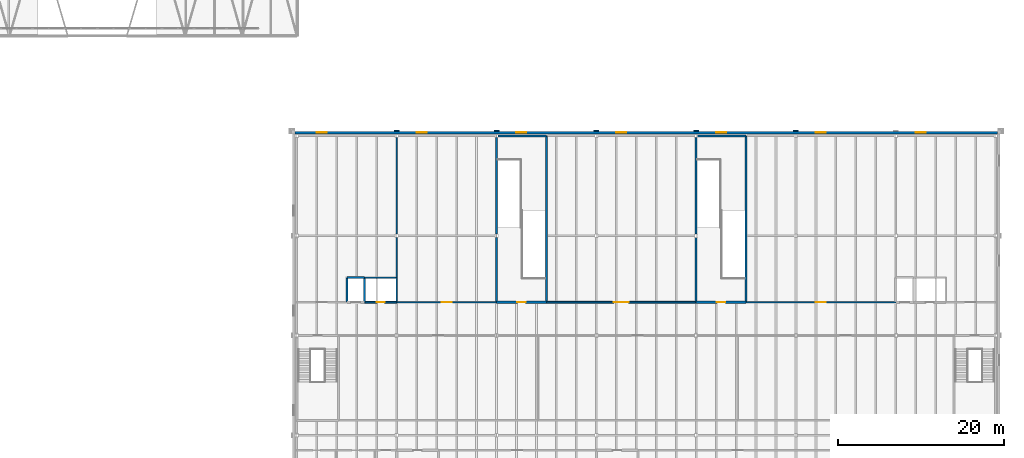
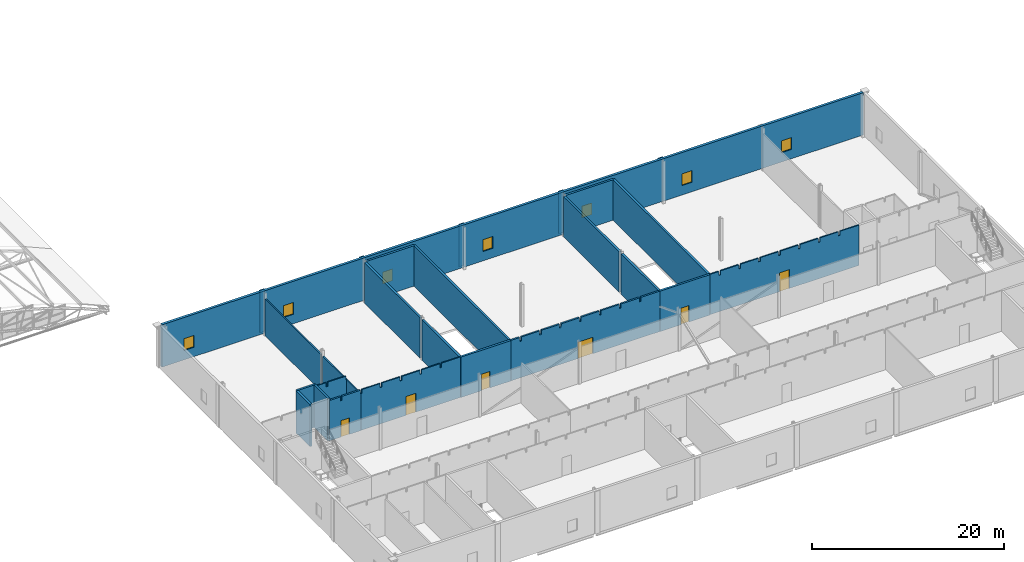
# One storey, part 258 of 321: 27 walls, 7 windows, 6 doors, 13 openings.
"""IFC4 building model written with IfcOpenShell, lengths in metres."""

from ifc_helpers import new_model, si_unit, direction, frame, frame_2d, origin, place, context, subcontext, project, spatial, polyline, rectangle, outline, extrude, material, layer, layer_set, type_object, element, fill, save


model = new_model("IFC4")

# Units and contexts
model_context = context("Model", 3, precision=1e-05, world=origin(), true_north=direction((0.0, 1.0)))
body_context = subcontext(model_context, "Body", "Model", "MODEL_VIEW")
ifc_project = project(units=[si_unit("LENGTHUNIT", "METRE"), si_unit("AREAUNIT", "SQUARE_METRE"), si_unit("VOLUMEUNIT", "CUBIC_METRE"), si_unit("PLANEANGLEUNIT", "RADIAN"), si_unit("MASSUNIT", "GRAM", prefix="KILO")], contexts=[model_context])

# Site, building, storey
site_placement = place(None, origin())
site = spatial("IfcSite", under=ifc_project, at=site_placement, CompositionType="ELEMENT")
building_placement = place(site_placement, origin())
building = spatial("IfcBuilding", under=site, at=building_placement, Name="Ravi Spectrum Wholesale Market", CompositionType="ELEMENT")
storey_placement = place(building_placement, frame((0.0, 0.0, 10.800048828125)))
storey = spatial("IfcBuildingStorey", under=building, at=storey_placement, Name="L02", CompositionType="ELEMENT", Elevation=10.800048828125)

# Wall, opening, door
ifc_material_1 = material(Name="Concrete blockwork", Category="masonry")
ifc_layer_1 = layer(ifc_material_1, 0.199951171875)
ifc_layer_set_1 = layer_set([ifc_layer_1], Name="Concrete blockwork")
wall_type_1 = type_object("IfcWallType", Name="Blockwork partition 200 fire", PredefinedType="PARTITIONING", material=ifc_layer_set_1)
wall_1_placement = place(storey_placement, frame((206.14990234375, 46.0, 0.0), z_axis=(0.0, 0.0, 1.0), x_axis=(1.0, 0.0, 0.0)))
wall_1 = element("IfcWall", 1, at=wall_1_placement, inside=storey, type_object=wall_type_1, Name="CS-WL-L02-088", PredefinedType="PARTITIONING", context=body_context, shape_type="SweptSolid", body=[
    extrude(outline(polyline([(0.0, 0.0), (3.85009765625, 0.0), (3.85009765625, 4.679931640625), (3.7548828125, 4.679931640625), (3.75, 5.14990234375), (1.554931640625, 5.14990234375), (1.550048828125, 4.6298828125), (1.35009765625, 4.6298828125), (1.344970703125, 5.14990234375), (0.0, 5.14990234375), (0.0, 0.0)])), frame((0.0, 0.10009765625, 0.0), z_axis=(0.0, -1.0, 0.0), x_axis=(1.0, 0.0, 0.0)), (0.0, 0.0, 1.0), 0.199951171875),
])
opening_1_placement = place(wall_1_placement, frame((1.425048828125, 0.0, 0.0)))
opening_1 = element("IfcOpeningElement", 2, at=opening_1_placement, cuts=wall_1, Name="Opening D543", PredefinedType="OPENING", context=body_context, shape_type="SweptSolid", body=[
    extrude(rectangle(XDim=1.0, YDim=2.10009765625, at=frame_2d((0.5, 1.050048828125))), frame((0.0, 0.10986328125, 0.0), z_axis=(0.0, -1.0, 0.0), x_axis=(1.0, 0.0, 0.0)), (0.0, 0.0, 1.0), 0.219970703125),
])
ifc_material_2 = material(Name="Steel door", Category="steel")
door_type_1 = type_object("IfcDoorType", Name="Plant room door 1000 x 2100", OperationType="SINGLE_SWING_LEFT", PredefinedType="DOOR", material=ifc_material_2)
door_1_placement = place(opening_1_placement, origin())
door_1 = element("IfcDoor", 3, at=door_1_placement, inside=storey, type_object=door_type_1, Name="Riser access door D543", OperationType="SINGLE_SWING_RIGHT", OverallHeight=2.10009765625, OverallWidth=1.0, PredefinedType="DOOR", context=body_context, shape_type="SweptSolid", body=[
    extrude(rectangle(XDim=1.0, YDim=2.10009765625, at=frame_2d((0.5, 1.050048828125))), frame((0.0, 0.02490234375, 0.0), z_axis=(0.0, -1.0, 0.0), x_axis=(1.0, 0.0, 0.0)), (0.0, 0.0, 1.0), 0.050048828125),
])
fill(opening_1, door_1)

wall_2_placement = place(storey_placement, frame((228.0, 46.0, 0.0), z_axis=(0.0, 0.0, 1.0), x_axis=(1.0, 0.0, 0.0)))
wall_2 = element("IfcWall", 4, at=wall_2_placement, inside=storey, type_object=wall_type_1, Name="CS-WL-L02-090", PredefinedType="PARTITIONING", context=body_context, shape_type="SweptSolid", body=[
    extrude(outline(polyline([(0.0, 0.0), (18.0, 0.0), (18.0, 5.14990234375), (15.705078125, 5.14990234375), (15.699951171875, 4.6298828125), (15.5, 4.6298828125), (15.4951171875, 5.14990234375), (13.304931640625, 5.14990234375), (13.300048828125, 4.6298828125), (13.10009765625, 4.6298828125), (13.094970703125, 5.14990234375), (10.905029296875, 5.14990234375), (10.89990234375, 4.6298828125), (10.699951171875, 4.6298828125), (10.695068359375, 5.14990234375), (8.5048828125, 5.14990234375), (8.5, 4.6298828125), (8.300048828125, 4.6298828125), (8.294921875, 5.14990234375), (6.10009765625, 5.14990234375), (6.094970703125, 4.679931640625), (5.905029296875, 4.679931640625), (5.89990234375, 5.14990234375), (3.705078125, 5.14990234375), (3.699951171875, 4.6298828125), (3.5, 4.6298828125), (3.4951171875, 5.14990234375), (1.304931640625, 5.14990234375), (1.300048828125, 4.6298828125), (1.10009765625, 4.6298828125), (1.094970703125, 5.14990234375), (0.0, 5.14990234375), (0.0, 0.0)])), frame((0.0, 0.10009765625, 0.0), z_axis=(0.0, -1.0, 0.0), x_axis=(1.0, 0.0, 0.0)), (0.0, 0.0, 1.0), 0.199951171875),
])
opening_2_placement = place(wall_2_placement, frame((8.10009765625, 0.0, 0.0)))
opening_2 = element("IfcOpeningElement", 5, at=opening_2_placement, cuts=wall_2, Name="Opening D540", PredefinedType="OPENING", context=body_context, shape_type="SweptSolid", body=[
    extrude(rectangle(XDim=1.800048828125, YDim=2.10009765625, at=frame_2d((0.89990234375, 1.050048828125))), frame((0.0, 0.10986328125, 0.0), z_axis=(0.0, -1.0, 0.0), x_axis=(1.0, 0.0, 0.0)), (0.0, 0.0, 1.0), 0.219970703125),
])
ifc_material_3 = material(Name="Steel door", Category="steel")
door_type_2 = type_object("IfcDoorType", Name="Double leaf door 1800 x 2100", OperationType="DOUBLE_DOOR_SINGLE_SWING", PredefinedType="DOOR", material=ifc_material_3)
door_2_placement = place(opening_2_placement, origin())
door_2 = element("IfcDoor", 6, at=door_2_placement, inside=storey, type_object=door_type_2, Name="Door D540", OperationType="DOUBLE_DOOR_SINGLE_SWING", OverallHeight=2.10009765625, OverallWidth=1.800048828125, PredefinedType="DOOR", context=body_context, shape_type="SweptSolid", body=[
    extrude(rectangle(XDim=1.800048828125, YDim=2.10009765625, at=frame_2d((0.89990234375, 1.050048828125))), frame((0.0, 0.02490234375, 0.0), z_axis=(0.0, -1.0, 0.0), x_axis=(1.0, 0.0, 0.0)), (0.0, 0.0, 1.0), 0.050048828125),
])
fill(opening_2, door_2)

# Wall, openings, windows
ifc_material_4 = material(Name="Brick-faced insulated panel", Category="masonry")
ifc_layer_2 = layer(ifc_material_4, 0.300048828125)
ifc_layer_set_2 = layer_set([ifc_layer_2], Name="Brick-faced insulated panel")
wall_type_2 = type_object("IfcWallType", Name="Brick faced insulated panel 300", PredefinedType="SOLIDWALL", material=ifc_layer_set_2)
wall_3_placement = place(storey_placement, frame((282.25, 66.39990234375, 0.0), z_axis=(0.0, 0.0, 1.0), x_axis=(-1.0, 0.0, 0.0)))
wall_3 = element("IfcWall", 7, at=wall_3_placement, inside=storey, type_object=wall_type_2, Name="CS-WL-L02-058", PredefinedType="SOLIDWALL", context=body_context, shape_type="SweptSolid", body=[
    extrude(rectangle(XDim=84.5, YDim=0.300048828125, at=frame_2d((42.25, 0.0))), origin(), (0.0, 0.0, 1.0), 5.39990234375),
])
opening_3_placement = place(wall_3_placement, frame((8.64990234375, 0.0, 1.199951171875)))
opening_3 = element("IfcOpeningElement", 8, at=opening_3_placement, cuts=wall_3, Name="Opening W2648", PredefinedType="OPENING", context=body_context, shape_type="SweptSolid", body=[
    extrude(rectangle(XDim=1.199951171875, YDim=1.5, at=frame_2d((0.60009765625, 0.75))), frame((0.0, 0.159912109375, 0.0), z_axis=(0.0, -1.0, 0.0), x_axis=(1.0, 0.0, 0.0)), (0.0, 0.0, 1.0), 0.320068359375),
])
opening_4_placement = place(wall_3_placement, frame((20.64990234375, 0.0, 1.199951171875)))
opening_4 = element("IfcOpeningElement", 9, at=opening_4_placement, cuts=wall_3, Name="Opening W2649", PredefinedType="OPENING", context=body_context, shape_type="SweptSolid", body=[
    extrude(rectangle(XDim=1.199951171875, YDim=1.5, at=frame_2d((0.60009765625, 0.75))), frame((0.0, 0.159912109375, 0.0), z_axis=(0.0, -1.0, 0.0), x_axis=(1.0, 0.0, 0.0)), (0.0, 0.0, 1.0), 0.320068359375),
])
opening_5_placement = place(wall_3_placement, frame((32.64990234375, 0.0, 1.199951171875)))
opening_5 = element("IfcOpeningElement", 10, at=opening_5_placement, cuts=wall_3, Name="Opening W2650", PredefinedType="OPENING", context=body_context, shape_type="SweptSolid", body=[
    extrude(rectangle(XDim=1.199951171875, YDim=1.5, at=frame_2d((0.60009765625, 0.75))), frame((0.0, 0.159912109375, 0.0), z_axis=(0.0, -1.0, 0.0), x_axis=(1.0, 0.0, 0.0)), (0.0, 0.0, 1.0), 0.320068359375),
])
opening_6_placement = place(wall_3_placement, frame((44.64990234375, 0.0, 1.199951171875)))
opening_6 = element("IfcOpeningElement", 11, at=opening_6_placement, cuts=wall_3, Name="Opening W2651", PredefinedType="OPENING", context=body_context, shape_type="SweptSolid", body=[
    extrude(rectangle(XDim=1.199951171875, YDim=1.5, at=frame_2d((0.60009765625, 0.75))), frame((0.0, 0.159912109375, 0.0), z_axis=(0.0, -1.0, 0.0), x_axis=(1.0, 0.0, 0.0)), (0.0, 0.0, 1.0), 0.320068359375),
])
opening_7_placement = place(wall_3_placement, frame((56.64990234375, 0.0, 1.199951171875)))
opening_7 = element("IfcOpeningElement", 12, at=opening_7_placement, cuts=wall_3, Name="Opening W2652", PredefinedType="OPENING", context=body_context, shape_type="SweptSolid", body=[
    extrude(rectangle(XDim=1.199951171875, YDim=1.5, at=frame_2d((0.60009765625, 0.75))), frame((0.0, 0.159912109375, 0.0), z_axis=(0.0, -1.0, 0.0), x_axis=(1.0, 0.0, 0.0)), (0.0, 0.0, 1.0), 0.320068359375),
])
opening_8_placement = place(wall_3_placement, frame((68.64990234375, 0.0, 1.199951171875)))
opening_8 = element("IfcOpeningElement", 13, at=opening_8_placement, cuts=wall_3, Name="Opening W2653", PredefinedType="OPENING", context=body_context, shape_type="SweptSolid", body=[
    extrude(rectangle(XDim=1.199951171875, YDim=1.5, at=frame_2d((0.60009765625, 0.75))), frame((0.0, 0.159912109375, 0.0), z_axis=(0.0, -1.0, 0.0), x_axis=(1.0, 0.0, 0.0)), (0.0, 0.0, 1.0), 0.320068359375),
])
opening_9_placement = place(wall_3_placement, frame((80.64990234375, 0.0, 1.199951171875)))
opening_9 = element("IfcOpeningElement", 14, at=opening_9_placement, cuts=wall_3, Name="Opening W2654", PredefinedType="OPENING", context=body_context, shape_type="SweptSolid", body=[
    extrude(rectangle(XDim=1.199951171875, YDim=1.5, at=frame_2d((0.60009765625, 0.75))), frame((0.0, 0.159912109375, 0.0), z_axis=(0.0, -1.0, 0.0), x_axis=(1.0, 0.0, 0.0)), (0.0, 0.0, 1.0), 0.320068359375),
])
ifc_material_5 = material(Name="Aluminium frame", Category="aluminium")
window_type = type_object("IfcWindowType", Name="Plant room louvred window 1200 x 1500", PartitioningType="SINGLE_PANEL", PredefinedType="WINDOW", material=ifc_material_5)
window_1_placement = place(opening_3_placement, origin())
window_1 = element("IfcWindow", 15, at=window_1_placement, inside=storey, type_object=window_type, Name="Window W2648", OverallHeight=1.5, OverallWidth=1.199951171875, PartitioningType="SINGLE_PANEL", PredefinedType="WINDOW", context=body_context, shape_type="SweptSolid", body=[
    extrude(rectangle(XDim=1.199951171875, YDim=1.5, at=frame_2d((0.60009765625, 0.75))), frame((0.0, 0.030029296875, 0.0), z_axis=(0.0, -1.0, 0.0), x_axis=(1.0, 0.0, 0.0)), (0.0, 0.0, 1.0), 0.06005859375),
])
fill(opening_3, window_1)
window_2_placement = place(opening_4_placement, origin())
window_2 = element("IfcWindow", 16, at=window_2_placement, inside=storey, type_object=window_type, Name="Window W2649", OverallHeight=1.5, OverallWidth=1.199951171875, PartitioningType="SINGLE_PANEL", PredefinedType="WINDOW", context=body_context, shape_type="SweptSolid", body=[
    extrude(rectangle(XDim=1.199951171875, YDim=1.5, at=frame_2d((0.60009765625, 0.75))), frame((0.0, 0.030029296875, 0.0), z_axis=(0.0, -1.0, 0.0), x_axis=(1.0, 0.0, 0.0)), (0.0, 0.0, 1.0), 0.06005859375),
])
fill(opening_4, window_2)
window_3_placement = place(opening_5_placement, origin())
window_3 = element("IfcWindow", 17, at=window_3_placement, inside=storey, type_object=window_type, Name="Window W2650", OverallHeight=1.5, OverallWidth=1.199951171875, PartitioningType="SINGLE_PANEL", PredefinedType="WINDOW", context=body_context, shape_type="SweptSolid", body=[
    extrude(rectangle(XDim=1.199951171875, YDim=1.5, at=frame_2d((0.60009765625, 0.75))), frame((0.0, 0.030029296875, 0.0), z_axis=(0.0, -1.0, 0.0), x_axis=(1.0, 0.0, 0.0)), (0.0, 0.0, 1.0), 0.06005859375),
])
fill(opening_5, window_3)
window_4_placement = place(opening_6_placement, origin())
window_4 = element("IfcWindow", 18, at=window_4_placement, inside=storey, type_object=window_type, Name="Window W2651", OverallHeight=1.5, OverallWidth=1.199951171875, PartitioningType="SINGLE_PANEL", PredefinedType="WINDOW", context=body_context, shape_type="SweptSolid", body=[
    extrude(rectangle(XDim=1.199951171875, YDim=1.5, at=frame_2d((0.60009765625, 0.75))), frame((0.0, 0.030029296875, 0.0), z_axis=(0.0, -1.0, 0.0), x_axis=(1.0, 0.0, 0.0)), (0.0, 0.0, 1.0), 0.06005859375),
])
fill(opening_6, window_4)
window_5_placement = place(opening_7_placement, origin())
window_5 = element("IfcWindow", 19, at=window_5_placement, inside=storey, type_object=window_type, Name="Window W2652", OverallHeight=1.5, OverallWidth=1.199951171875, PartitioningType="SINGLE_PANEL", PredefinedType="WINDOW", context=body_context, shape_type="SweptSolid", body=[
    extrude(rectangle(XDim=1.199951171875, YDim=1.5, at=frame_2d((0.60009765625, 0.75))), frame((0.0, 0.030029296875, 0.0), z_axis=(0.0, -1.0, 0.0), x_axis=(1.0, 0.0, 0.0)), (0.0, 0.0, 1.0), 0.06005859375),
])
fill(opening_7, window_5)
window_6_placement = place(opening_8_placement, origin())
window_6 = element("IfcWindow", 20, at=window_6_placement, inside=storey, type_object=window_type, Name="Window W2653", OverallHeight=1.5, OverallWidth=1.199951171875, PartitioningType="SINGLE_PANEL", PredefinedType="WINDOW", context=body_context, shape_type="SweptSolid", body=[
    extrude(rectangle(XDim=1.199951171875, YDim=1.5, at=frame_2d((0.60009765625, 0.75))), frame((0.0, 0.030029296875, 0.0), z_axis=(0.0, -1.0, 0.0), x_axis=(1.0, 0.0, 0.0)), (0.0, 0.0, 1.0), 0.06005859375),
])
fill(opening_8, window_6)
window_7_placement = place(opening_9_placement, origin())
window_7 = element("IfcWindow", 21, at=window_7_placement, inside=storey, type_object=window_type, Name="Window W2654", OverallHeight=1.5, OverallWidth=1.199951171875, PartitioningType="SINGLE_PANEL", PredefinedType="WINDOW", context=body_context, shape_type="SweptSolid", body=[
    extrude(rectangle(XDim=1.199951171875, YDim=1.5, at=frame_2d((0.60009765625, 0.75))), frame((0.0, 0.030029296875, 0.0), z_axis=(0.0, -1.0, 0.0), x_axis=(1.0, 0.0, 0.0)), (0.0, 0.0, 1.0), 0.06005859375),
])
fill(opening_9, window_7)

# Walls
ifc_material_6 = material(Name="Facing brickwork", Category="masonry")
ifc_layer_3 = layer(ifc_material_6, 0.114990234375)
ifc_layer_set_3 = layer_set([ifc_layer_3], Name="Facing brickwork")
wall_type_3 = type_object("IfcWallType", Name="Brick pilaster 115", PredefinedType="SOLIDWALL", material=ifc_layer_set_3)
for number, where, z_axis, x_axis, name in (
    (22, (258.300048828125, 66.607421875, 0.0), (0.0, 0.0, 1.0), (-1.0, 0.0, 0.0), "CS-WL-L02-060"),
    (23, (246.300048828125, 66.607421875, 0.0), (0.0, 0.0, 1.0), (-1.0, 0.0, 0.0), "CS-WL-L02-061"),
    (24, (234.300048828125, 66.607421875, 0.0), (0.0, 0.0, 1.0), (-1.0, 0.0, 0.0), "CS-WL-L02-062"),
    (25, (222.300048828125, 66.607421875, 0.0), (0.0, 0.0, 1.0), (-1.0, 0.0, 0.0), "CS-WL-L02-063"),
    (26, (210.300048828125, 66.607421875, 0.0), (0.0, 0.0, 1.0), (-1.0, 0.0, 0.0), "CS-WL-L02-064"),
):
    element("IfcWall", number, at=place(storey_placement, frame(where, z_axis=z_axis, x_axis=x_axis)), inside=storey, type_object=wall_type_3, Name=name, PredefinedType="SOLIDWALL", context=body_context, shape_type="SweptSolid", body=[
        extrude(rectangle(XDim=0.60009765625, YDim=0.114990234375, at=frame_2d((0.300048828125, 0.0))), origin(), (0.0, 0.0, 1.0), 5.39990234375),
    ])

# Wall, opening, door
ifc_material_7 = material(Name="Insulated panel")
ifc_layer_4 = layer(ifc_material_7, 0.14990234375)
ifc_layer_set_4 = layer_set([ifc_layer_4], Name="Insulated panel")
wall_type_4 = type_object("IfcWallType", Name="Cold store panel 150", PredefinedType="PARTITIONING", material=ifc_layer_set_4)
wall_4_placement = place(storey_placement, frame((210.0, 46.0, 0.0), z_axis=(0.0, 0.0, 1.0), x_axis=(1.0, 0.0, 0.0)))
wall_4 = element("IfcWall", 27, at=wall_4_placement, inside=storey, type_object=wall_type_4, Name="CS-WL-L02-089", PredefinedType="PARTITIONING", context=body_context, shape_type="SweptSolid", body=[
    extrude(outline(polyline([(0.0, 0.0), (12.0, 0.0), (12.0, 5.14990234375), (9.705078125, 5.14990234375), (9.699951171875, 4.6298828125), (9.5, 4.6298828125), (9.4951171875, 5.14990234375), (7.304931640625, 5.14990234375), (7.300048828125, 4.6298828125), (7.10009765625, 4.6298828125), (7.094970703125, 5.14990234375), (4.905029296875, 5.14990234375), (4.89990234375, 4.6298828125), (4.699951171875, 4.6298828125), (4.695068359375, 5.14990234375), (2.5048828125, 5.14990234375), (2.5, 4.6298828125), (2.300048828125, 4.6298828125), (2.294921875, 5.14990234375), (0.10009765625, 5.14990234375), (0.094970703125, 4.679931640625), (0.0, 4.679931640625), (0.0, 0.0)])), frame((0.0, 0.074951171875, 0.0), z_axis=(0.0, -1.0, 0.0), x_axis=(1.0, 0.0, 0.0)), (0.0, 0.0, 1.0), 0.14990234375),
])
opening_10_placement = place(wall_4_placement, frame((5.39990234375, 0.0, 0.0)))
opening_10 = element("IfcOpeningElement", 28, at=opening_10_placement, cuts=wall_4, Name="Opening D539", PredefinedType="OPENING", context=body_context, shape_type="SweptSolid", body=[
    extrude(rectangle(XDim=1.199951171875, YDim=2.39990234375, at=frame_2d((0.60009765625, 1.199951171875))), frame((0.0, 0.0849609375, 0.0), z_axis=(0.0, -1.0, 0.0), x_axis=(1.0, 0.0, 0.0)), (0.0, 0.0, 1.0), 0.169921875),
])
ifc_material_8 = material(Name="Insulated panel door")
door_type_3 = type_object("IfcDoorType", Name="Cold store insulated door 1200 x 2400", OperationType="SINGLE_SWING_LEFT", PredefinedType="DOOR", material=ifc_material_8)
door_3_placement = place(opening_10_placement, origin())
door_3 = element("IfcDoor", 29, at=door_3_placement, inside=storey, type_object=door_type_3, Name="Door D539", OperationType="SINGLE_SWING_LEFT", OverallHeight=2.39990234375, OverallWidth=1.199951171875, PredefinedType="DOOR", context=body_context, shape_type="SweptSolid", body=[
    extrude(rectangle(XDim=1.199951171875, YDim=2.39990234375, at=frame_2d((0.60009765625, 1.199951171875))), frame((0.0, 0.02490234375, 0.0), z_axis=(0.0, -1.0, 0.0), x_axis=(1.0, 0.0, 0.0)), (0.0, 0.0, 1.0), 0.050048828125),
])
fill(opening_10, door_3)

wall_5_placement = place(storey_placement, frame((252.0, 46.0, 0.0), z_axis=(0.0, 0.0, 1.0), x_axis=(1.0, 0.0, 0.0)))
wall_5 = element("IfcWall", 30, at=wall_5_placement, inside=storey, type_object=wall_type_4, Name="CS-WL-L02-091", PredefinedType="PARTITIONING", context=body_context, shape_type="SweptSolid", body=[
    extrude(outline(polyline([(0.0, 0.0), (18.0, 0.0), (18.0, 5.14990234375), (15.705078125, 5.14990234375), (15.699951171875, 4.6298828125), (15.5, 4.6298828125), (15.4951171875, 5.14990234375), (13.304931640625, 5.14990234375), (13.300048828125, 4.6298828125), (13.10009765625, 4.6298828125), (13.094970703125, 5.14990234375), (10.905029296875, 5.14990234375), (10.89990234375, 4.6298828125), (10.699951171875, 4.6298828125), (10.695068359375, 5.14990234375), (8.5048828125, 5.14990234375), (8.5, 4.6298828125), (8.300048828125, 4.6298828125), (8.294921875, 5.14990234375), (6.10009765625, 5.14990234375), (6.094970703125, 4.679931640625), (5.905029296875, 4.679931640625), (5.89990234375, 5.14990234375), (3.705078125, 5.14990234375), (3.699951171875, 4.6298828125), (3.5, 4.6298828125), (3.4951171875, 5.14990234375), (1.304931640625, 5.14990234375), (1.300048828125, 4.6298828125), (1.10009765625, 4.6298828125), (1.094970703125, 5.14990234375), (0.0, 5.14990234375), (0.0, 0.0)])), frame((0.0, 0.074951171875, 0.0), z_axis=(0.0, -1.0, 0.0), x_axis=(1.0, 0.0, 0.0)), (0.0, 0.0, 1.0), 0.14990234375),
])
opening_11_placement = place(wall_5_placement, frame((8.39990234375, 0.0, 0.0)))
opening_11 = element("IfcOpeningElement", 31, at=opening_11_placement, cuts=wall_5, Name="Opening D541", PredefinedType="OPENING", context=body_context, shape_type="SweptSolid", body=[
    extrude(rectangle(XDim=1.199951171875, YDim=2.39990234375, at=frame_2d((0.60009765625, 1.199951171875))), frame((0.0, 0.0849609375, 0.0), z_axis=(0.0, -1.0, 0.0), x_axis=(1.0, 0.0, 0.0)), (0.0, 0.0, 1.0), 0.169921875),
])
door_4_placement = place(opening_11_placement, origin())
door_4 = element("IfcDoor", 32, at=door_4_placement, inside=storey, type_object=door_type_3, Name="Door D541", OperationType="SINGLE_SWING_LEFT", OverallHeight=2.39990234375, OverallWidth=1.199951171875, PredefinedType="DOOR", context=body_context, shape_type="SweptSolid", body=[
    extrude(rectangle(XDim=1.199951171875, YDim=2.39990234375, at=frame_2d((0.60009765625, 1.199951171875))), frame((0.0, 0.02490234375, 0.0), z_axis=(0.0, -1.0, 0.0), x_axis=(1.0, 0.0, 0.0)), (0.0, 0.0, 1.0), 0.050048828125),
])
fill(opening_11, door_4)

# Walls
wall_6_placement = place(storey_placement, frame((206.14990234375, 48.949951171875, 0.0), z_axis=(0.0, 0.0, 1.0), x_axis=(1.0, 0.0, 0.0)))
element("IfcWall", 33, at=wall_6_placement, inside=storey, type_object=wall_type_4, Name="CS-WL-L02-094", PredefinedType="PARTITIONING", context=body_context, shape_type="SweptSolid", body=[
    extrude(outline(polyline([(0.0, 0.0), (3.775146484375, 0.0), (3.77490234375, 4.679931640625), (3.7548828125, 4.679931640625), (3.75, 5.14990234375), (1.554931640625, 5.14990234375), (1.550048828125, 4.6298828125), (1.35009765625, 4.6298828125), (1.344970703125, 5.14990234375), (0.0, 5.14990234375), (0.0, 0.0)])), frame((0.0, 0.074951171875, 0.0), z_axis=(0.0, -1.0, 0.0), x_axis=(1.0, 0.0, 0.0)), (0.0, 0.0, 1.0), 0.14990234375),
])
wall_7_placement = place(storey_placement, frame((210.0, 46.10009765625, 0.0), z_axis=(0.0, 0.0, 1.0), x_axis=(0.0, 1.0, 0.0)))
element("IfcWall", 34, at=wall_7_placement, inside=storey, type_object=wall_type_4, Name="CS-WL-L02-098", PredefinedType="PARTITIONING", context=body_context, shape_type="SweptSolid", body=[
    extrude(rectangle(XDim=2.849853515625, YDim=0.14990234375, at=frame_2d((1.4248046875, 0.0))), origin(), (0.0, 0.0, 1.0), 4.679931640625),
])
wall_8_placement = place(storey_placement, frame((210.0, 48.949951171875, 0.0), z_axis=(0.0, 0.0, 1.0), x_axis=(0.0, 1.0, 0.0)))
element("IfcWall", 35, at=wall_8_placement, inside=storey, type_object=wall_type_4, Name="CS-WL-L02-099", PredefinedType="PARTITIONING", context=body_context, shape_type="SweptSolid", body=[
    extrude(rectangle(XDim=4.85009765625, YDim=0.14990234375, at=frame_2d((2.425048828125, 0.0))), origin(), (0.0, 0.0, 1.0), 4.679931640625),
])
wall_9_placement = place(storey_placement, frame((210.0, 54.199951171875, 0.0), z_axis=(0.0, 0.0, 1.0), x_axis=(0.0, 1.0, 0.0)))
element("IfcWall", 36, at=wall_9_placement, inside=storey, type_object=wall_type_4, Name="CS-WL-L02-100", PredefinedType="PARTITIONING", context=body_context, shape_type="SweptSolid", body=[
    extrude(rectangle(XDim=11.630126953125, YDim=0.14990234375, at=frame_2d((5.81494140625, 0.0))), origin(), (0.0, 0.0, 1.0), 4.679931640625),
])

# Wall, opening, door
ifc_material_9 = material(Name="Concrete C35/45", Category="concrete")
ifc_layer_5 = layer(ifc_material_9, 0.25)
ifc_layer_set_5 = layer_set([ifc_layer_5], Name="Concrete C35/45")
wall_type_5 = type_object("IfcWallType", Name="Concrete core wall 250", PredefinedType="SHEAR", material=ifc_layer_set_5)
wall_10_placement = place(storey_placement, frame((222.0, 46.0, 0.0), z_axis=(0.0, 0.0, 1.0), x_axis=(1.0, 0.0, 0.0)))
wall_10 = element("IfcWall", 37, at=wall_10_placement, inside=storey, type_object=wall_type_5, Name="Stair core wall Stair S-CS-3", PredefinedType="SHEAR", context=body_context, shape_type="SweptSolid", body=[
    extrude(rectangle(XDim=6.0, YDim=0.25, at=frame_2d((3.0, 0.0))), origin(), (0.0, 0.0, 1.0), 5.14990234375),
])
opening_12_placement = place(wall_10_placement, frame((2.5, 0.0, 0.0)))
opening_12 = element("IfcOpeningElement", 38, at=opening_12_placement, cuts=wall_10, Name="Opening D522", PredefinedType="OPENING", context=body_context, shape_type="SweptSolid", body=[
    extrude(rectangle(XDim=1.0, YDim=2.10009765625, at=frame_2d((0.5, 1.050048828125))), frame((0.0, 0.135009765625, 0.0), z_axis=(0.0, -1.0, 0.0), x_axis=(1.0, 0.0, 0.0)), (0.0, 0.0, 1.0), 0.27001953125),
])
ifc_material_10 = material(Name="Steel door", Category="steel")
door_type_4 = type_object("IfcDoorType", Name="Stair door 1000 x 2100", OperationType="SINGLE_SWING_LEFT", PredefinedType="DOOR", material=ifc_material_10)
door_5_placement = place(opening_12_placement, origin())
door_5 = element("IfcDoor", 39, at=door_5_placement, inside=storey, type_object=door_type_4, Name="Door D522", OperationType="SINGLE_SWING_RIGHT", OverallHeight=2.10009765625, OverallWidth=1.0, PredefinedType="DOOR", context=body_context, shape_type="SweptSolid", body=[
    extrude(rectangle(XDim=1.0, YDim=2.10009765625, at=frame_2d((0.5, 1.050048828125))), frame((0.0, 0.02490234375, 0.0), z_axis=(0.0, -1.0, 0.0), x_axis=(1.0, 0.0, 0.0)), (0.0, 0.0, 1.0), 0.050048828125),
])
fill(opening_12, door_5)

# Walls
wall_11_placement = place(storey_placement, frame((228.0, 46.0, 0.0), z_axis=(0.0, 0.0, 1.0), x_axis=(0.0, 1.0, 0.0)))
element("IfcWall", 40, at=wall_11_placement, inside=storey, type_object=wall_type_5, Name="Stair core wall Stair S-CS-3", PredefinedType="SHEAR", context=body_context, shape_type="SweptSolid", body=[
    extrude(rectangle(XDim=20.0, YDim=0.25, at=frame_2d((10.0, 0.0))), origin(), (0.0, 0.0, 1.0), 5.14990234375),
])
wall_12_placement = place(storey_placement, frame((222.14990234375, 66.0, 0.0), z_axis=(0.0, 0.0, 1.0), x_axis=(1.0, 0.0, 0.0)))
element("IfcWall", 41, at=wall_12_placement, inside=storey, type_object=wall_type_5, Name="Stair core wall Stair S-CS-3", PredefinedType="SHEAR", context=body_context, shape_type="SweptSolid", body=[
    extrude(rectangle(XDim=5.85009765625, YDim=0.25, at=frame_2d((2.925048828125, 0.0))), origin(), (0.0, 0.0, 1.0), 5.14990234375),
])
wall_13_placement = place(storey_placement, frame((222.0, 46.0, 0.0), z_axis=(0.0, 0.0, 1.0), x_axis=(0.0, 1.0, 0.0)))
element("IfcWall", 42, at=wall_13_placement, inside=storey, type_object=wall_type_5, Name="Stair core wall Stair S-CS-3", PredefinedType="SHEAR", context=body_context, shape_type="SweptSolid", body=[
    extrude(rectangle(XDim=7.800048828125, YDim=0.25, at=frame_2d((3.89990234375, 0.0))), origin(), (0.0, 0.0, 1.0), 5.14990234375),
])
wall_14_placement = place(storey_placement, frame((222.0, 54.199951171875, 0.0), z_axis=(0.0, 0.0, 1.0), x_axis=(0.0, 1.0, 0.0)))
element("IfcWall", 43, at=wall_14_placement, inside=storey, type_object=wall_type_5, Name="Stair core wall Stair S-CS-3", PredefinedType="SHEAR", context=body_context, shape_type="SweptSolid", body=[
    extrude(rectangle(XDim=11.630126953125, YDim=0.25, at=frame_2d((5.81494140625, 0.0))), origin(), (0.0, 0.0, 1.0), 5.14990234375),
])

# Wall, opening, door
wall_15_placement = place(storey_placement, frame((246.0, 46.0, 0.0), z_axis=(0.0, 0.0, 1.0), x_axis=(1.0, 0.0, 0.0)))
wall_15 = element("IfcWall", 44, at=wall_15_placement, inside=storey, type_object=wall_type_5, Name="Stair core wall Stair S-CS-5", PredefinedType="SHEAR", context=body_context, shape_type="SweptSolid", body=[
    extrude(rectangle(XDim=6.0, YDim=0.25, at=frame_2d((3.0, 0.0))), origin(), (0.0, 0.0, 1.0), 5.14990234375),
])
opening_13_placement = place(wall_15_placement, frame((2.5, 0.0, 0.0)))
opening_13 = element("IfcOpeningElement", 45, at=opening_13_placement, cuts=wall_15, Name="Opening D523", PredefinedType="OPENING", context=body_context, shape_type="SweptSolid", body=[
    extrude(rectangle(XDim=1.0, YDim=2.10009765625, at=frame_2d((0.5, 1.050048828125))), frame((0.0, 0.135009765625, 0.0), z_axis=(0.0, -1.0, 0.0), x_axis=(1.0, 0.0, 0.0)), (0.0, 0.0, 1.0), 0.27001953125),
])
door_6_placement = place(opening_13_placement, origin())
door_6 = element("IfcDoor", 46, at=door_6_placement, inside=storey, type_object=door_type_4, Name="Door D523", OperationType="SINGLE_SWING_RIGHT", OverallHeight=2.10009765625, OverallWidth=1.0, PredefinedType="DOOR", context=body_context, shape_type="SweptSolid", body=[
    extrude(rectangle(XDim=1.0, YDim=2.10009765625, at=frame_2d((0.5, 1.050048828125))), frame((0.0, 0.02490234375, 0.0), z_axis=(0.0, -1.0, 0.0), x_axis=(1.0, 0.0, 0.0)), (0.0, 0.0, 1.0), 0.050048828125),
])
fill(opening_13, door_6)

# Walls
wall_16_placement = place(storey_placement, frame((252.0, 46.0, 0.0), z_axis=(0.0, 0.0, 1.0), x_axis=(0.0, 1.0, 0.0)))
element("IfcWall", 47, at=wall_16_placement, inside=storey, type_object=wall_type_5, Name="Stair core wall Stair S-CS-5", PredefinedType="SHEAR", context=body_context, shape_type="SweptSolid", body=[
    extrude(rectangle(XDim=20.0, YDim=0.25, at=frame_2d((10.0, 0.0))), origin(), (0.0, 0.0, 1.0), 5.14990234375),
])
wall_17_placement = place(storey_placement, frame((246.14990234375, 66.0, 0.0), z_axis=(0.0, 0.0, 1.0), x_axis=(1.0, 0.0, 0.0)))
element("IfcWall", 48, at=wall_17_placement, inside=storey, type_object=wall_type_5, Name="Stair core wall Stair S-CS-5", PredefinedType="SHEAR", context=body_context, shape_type="SweptSolid", body=[
    extrude(rectangle(XDim=5.85009765625, YDim=0.25, at=frame_2d((2.925048828125, 0.0))), origin(), (0.0, 0.0, 1.0), 5.14990234375),
])
wall_18_placement = place(storey_placement, frame((246.0, 46.0, 0.0), z_axis=(0.0, 0.0, 1.0), x_axis=(0.0, 1.0, 0.0)))
element("IfcWall", 49, at=wall_18_placement, inside=storey, type_object=wall_type_5, Name="Stair core wall Stair S-CS-5", PredefinedType="SHEAR", context=body_context, shape_type="SweptSolid", body=[
    extrude(rectangle(XDim=7.800048828125, YDim=0.25, at=frame_2d((3.89990234375, 0.0))), origin(), (0.0, 0.0, 1.0), 5.14990234375),
])
wall_19_placement = place(storey_placement, frame((246.0, 54.199951171875, 0.0), z_axis=(0.0, 0.0, 1.0), x_axis=(0.0, 1.0, 0.0)))
element("IfcWall", 50, at=wall_19_placement, inside=storey, type_object=wall_type_5, Name="Stair core wall Stair S-CS-5", PredefinedType="SHEAR", context=body_context, shape_type="SweptSolid", body=[
    extrude(rectangle(XDim=11.630126953125, YDim=0.25, at=frame_2d((5.81494140625, 0.0))), origin(), (0.0, 0.0, 1.0), 5.14990234375),
])
ifc_material_11 = material(Name="Concrete C35/45", Category="concrete")
ifc_layer_6 = layer(ifc_material_11, 0.25)
ifc_layer_set_6 = layer_set([ifc_layer_6], Name="Concrete C35/45")
wall_type_6 = type_object("IfcWallType", Name="Shaft wall 250", PredefinedType="SHEAR", material=ifc_layer_set_6)
wall_20_placement = place(storey_placement, frame((206.14990234375, 46.0, 0.0), z_axis=(0.0, 0.0, 1.0), x_axis=(0.0, 1.0, 0.0)))
element("IfcWall", 51, at=wall_20_placement, inside=storey, type_object=wall_type_6, Name="CS-WL-L02-LF-CS-1-E", PredefinedType="SHEAR", context=body_context, shape_type="SweptSolid", body=[
    extrude(rectangle(XDim=2.949951171875, YDim=0.25, at=frame_2d((1.47509765625, 0.0))), origin(), (0.0, 0.0, 1.0), 5.39990234375),
])
wall_21_placement = place(storey_placement, frame((206.14990234375, 48.949951171875, 0.0), z_axis=(0.0, 0.0, 1.0), x_axis=(-1.0, 0.0, 0.0)))
element("IfcWall", 52, at=wall_21_placement, inside=storey, type_object=wall_type_6, Name="CS-WL-L02-LF-CS-1-N", PredefinedType="SHEAR", context=body_context, shape_type="SweptSolid", body=[
    extrude(rectangle(XDim=2.14990234375, YDim=0.25, at=frame_2d((1.074951171875, 0.0))), origin(), (0.0, 0.0, 1.0), 5.39990234375),
])
wall_22_placement = place(storey_placement, frame((204.0, 48.949951171875, 0.0), z_axis=(0.0, 0.0, 1.0), x_axis=(0.0, -1.0, 0.0)))
element("IfcWall", 53, at=wall_22_placement, inside=storey, type_object=wall_type_6, Name="CS-WL-L02-LF-CS-1-W", PredefinedType="SHEAR", context=body_context, shape_type="SweptSolid", body=[
    extrude(rectangle(XDim=2.949951171875, YDim=0.25, at=frame_2d((1.47509765625, 0.0))), origin(), (0.0, 0.0, 1.0), 5.39990234375),
])

save(model, "model.ifc")
